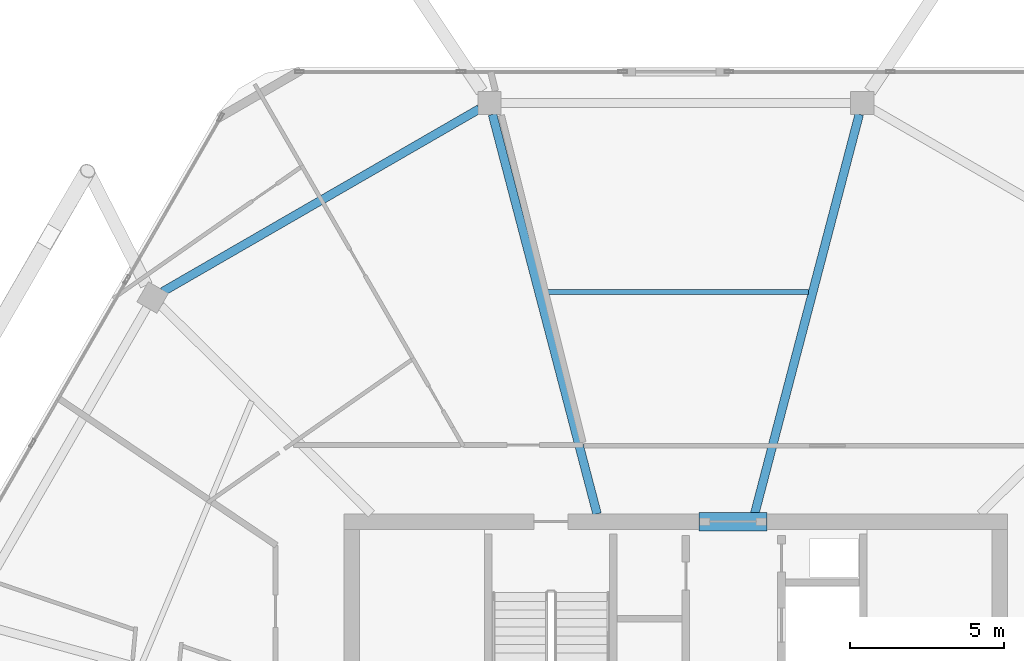
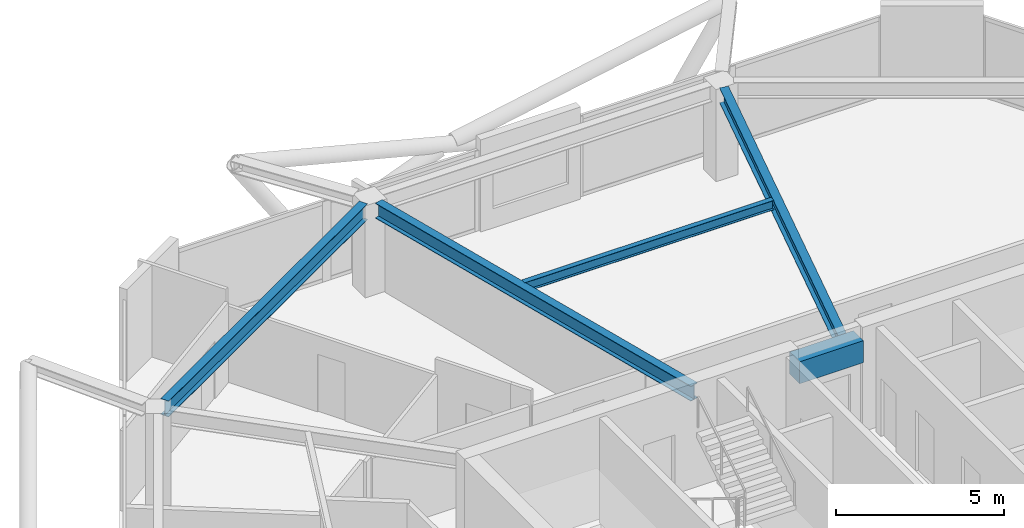
# One storey, part 11 of 23: 5 beams.
"""IFC4 building model written with IfcOpenShell, lengths in metres."""

from ifc_helpers import new_model, si_unit, direction, frame, origin, origin_2d, place, context, subcontext, project, spatial, rectangle, i_section, extrude, material, material_profile, profile_set, type_object, element, save


model = new_model("IFC4")

# Units and contexts
model_context = context("Model", 3, precision=1e-05, world=origin(), true_north=direction((0.0, 1.0)))
body_context = subcontext(model_context, "Body", "Model", "MODEL_VIEW")
ifc_project = project(units=[si_unit("LENGTHUNIT", "METRE"), si_unit("AREAUNIT", "SQUARE_METRE"), si_unit("VOLUMEUNIT", "CUBIC_METRE"), si_unit("PLANEANGLEUNIT", "RADIAN"), si_unit("MASSUNIT", "GRAM", prefix="KILO")], contexts=[model_context])

# Site, building, storey
site_placement = place(None, origin())
site = spatial("IfcSite", under=ifc_project, at=site_placement, CompositionType="ELEMENT")
building_placement = place(site_placement, origin())
building = spatial("IfcBuilding", under=site, at=building_placement, Name="Zuhravey Tower", CompositionType="ELEMENT")
storey_placement = place(building_placement, frame((0.0, 0.0, 353.800048828125)))
storey = spatial("IfcBuildingStorey", under=building, at=storey_placement, Name="L90", CompositionType="ELEMENT", Elevation=353.800048828125)

# Beams
ifc_material_1 = material(Name="Concrete C50/60", Category="concrete")
ifc_material_profile_1 = material_profile(ifc_material_1, rectangle(XDim=0.60009765625, YDim=0.800048828125, at=origin_2d()), Name="RC-600x800")
ifc_profile_set_1 = profile_set([ifc_material_profile_1], Name="Concrete C50/60")
beam_type_1 = type_object("IfcBeamType", Name="Core Coupling Beam RC600x800", PredefinedType="LINTEL", material=ifc_profile_set_1)
beam_1_placement = place(storey_placement, frame((36.751953125, 41.5, 2.949951171875), z_axis=(1.0, 0.0, 0.0), x_axis=(0.0, 1.0, 0.0)))
element("IfcBeam", 1, at=beam_1_placement, inside=storey, type_object=beam_type_1, Name="L90 CB2 BM-L90-CB-N", PredefinedType="LINTEL", context=body_context, shape_type="SweptSolid", body=[
    extrude(rectangle(XDim=0.60009765625, YDim=0.800048828125, at=origin_2d()), origin(), (0.0, 0.0, 1.0), 2.196044921875),
])
ifc_material_2 = material(Name="Steel SM355", Category="steel")
ifc_material_profile_2 = material_profile(ifc_material_2, i_section(OverallWidth=0.280029296875, OverallDepth=0.580078125, WebThickness=0.011962890625, FlangeThickness=0.01904296875, at=origin_2d()), Name="H-580x280x12x19")
ifc_profile_set_2 = profile_set([ifc_material_profile_2], Name="Steel SM355")
beam_type_2 = type_object("IfcBeamType", Name="Perimeter Ring Beam H580x280", PredefinedType="BEAM", material=ifc_profile_set_2)
beam_2_placement = place(storey_placement, frame((29.634033203125, 54.875, 3.06005859375), z_axis=(-0.866030838723, -0.499990586292, 0.0), x_axis=(0.499990586292, -0.866030838723, 0.0)))
element("IfcBeam", 2, at=beam_2_placement, inside=storey, type_object=beam_type_2, Name="L90 PB4 BM-L90-PB-04", PredefinedType="BEAM", context=body_context, shape_type="SweptSolid", body=[
    extrude(i_section(OverallWidth=0.280029296875, OverallDepth=0.580078125, WebThickness=0.011962890625, FlangeThickness=0.01904296875, at=origin_2d()), origin(), (0.0, 0.0, 1.0), 11.848876953125),
])
ifc_material_profile_3 = material_profile(ifc_material_2, i_section(OverallWidth=0.280029296875, OverallDepth=0.550048828125, WebThickness=0.010986328125, FlangeThickness=0.01806640625, at=origin_2d()), Name="H-550x280x11x18")
ifc_profile_set_3 = profile_set([ifc_material_profile_3], Name="Steel SM355")
beam_type_3 = type_object("IfcBeamType", Name="Radial Primary Girder H550x280", PredefinedType="BEAM", material=ifc_profile_set_3)
for number, where, z_axis, x_axis, name in (
    (3, (38.553466796875, 41.7529296875, 3.074951171875), (0.253282562653, 0.967392342049, 0.0), (-0.967392342049, 0.253282562653, 0.0), "L90 RG4 BM-L90-RAD-03"),
    (4, (33.446533203125, 41.7529296875, 3.074951171875), (-0.253282562653, 0.967392342049, 0.0), (-0.967392342049, -0.253282562653, 0.0), "L90 RG4 BM-L90-RAD-04"),
):
    element("IfcBeam", number, at=place(storey_placement, frame(where, z_axis=z_axis, x_axis=x_axis)), inside=storey, type_object=beam_type_3, Name=name, PredefinedType="BEAM", context=body_context, shape_type="SweptSolid", body=[
        extrude(i_section(OverallWidth=0.280029296875, OverallDepth=0.550048828125, WebThickness=0.010986328125, FlangeThickness=0.01806640625, at=origin_2d()), origin(), (0.0, 0.0, 1.0), 13.3818359375),
    ])
ifc_material_profile_4 = material_profile(ifc_material_2, i_section(OverallWidth=0.175048828125, OverallDepth=0.35009765625, WebThickness=0.007080078125, FlangeThickness=0.010986328125, at=origin_2d()), Name="H-350x175x7x11")
ifc_profile_set_4 = profile_set([ifc_material_profile_4], Name="Steel SM355")
beam_type_4 = type_object("IfcBeamType", Name="Secondary Floor Joist H350x175", PredefinedType="JOIST", material=ifc_profile_set_4)
beam_3_placement = place(storey_placement, frame((40.29150390625, 48.94091796875, 3.175048828125), z_axis=(-1.0, 0.0, 0.0), x_axis=(0.0, -1.0, 0.0)))
element("IfcBeam", 5, at=beam_3_placement, inside=storey, type_object=beam_type_4, Name="L90 SJ3 BM-L90-SJ-03-1", PredefinedType="JOIST", context=body_context, shape_type="SweptSolid", body=[
    extrude(i_section(OverallWidth=0.175048828125, OverallDepth=0.35009765625, WebThickness=0.007080078125, FlangeThickness=0.010986328125, at=origin_2d()), origin(), (0.0, 0.0, 1.0), 8.5830078125),
])

save(model, "model.ifc")
